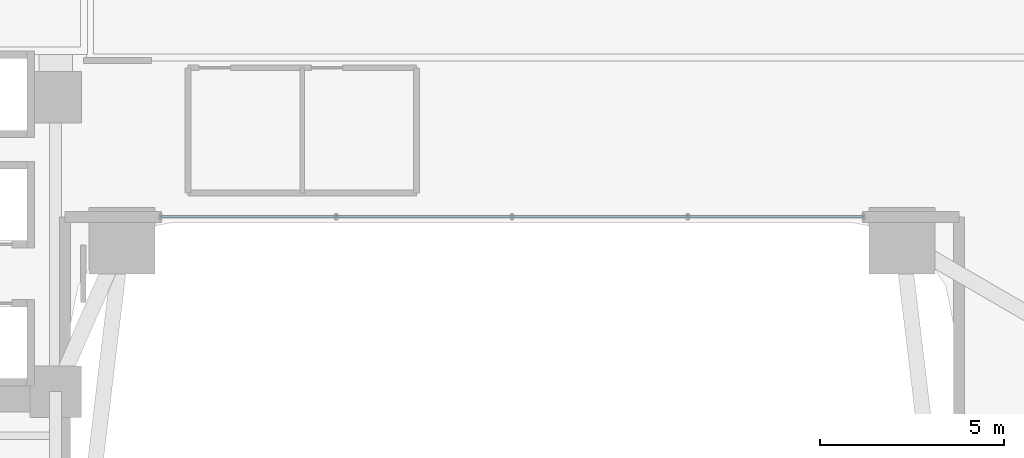
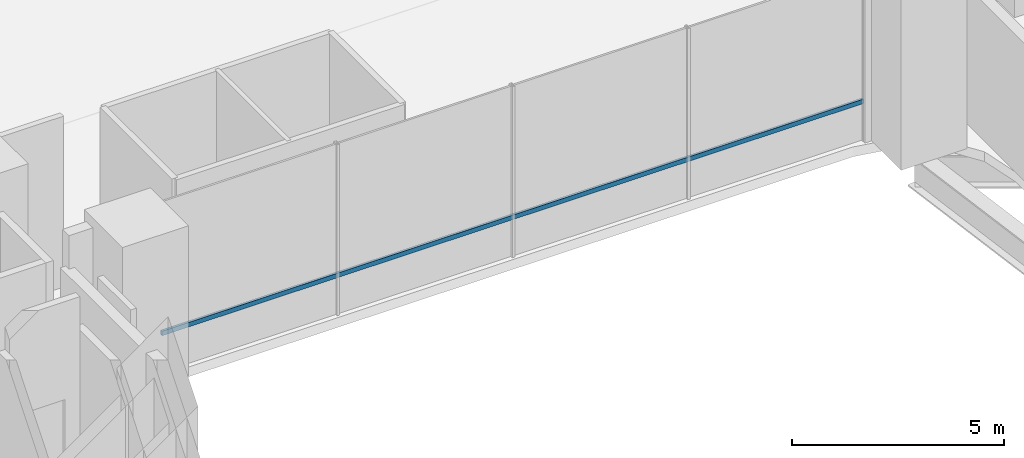
# One storey, part 9 of 39: 1 member, 1 element without a shape of its own.
"""IFC4 building model written with IfcOpenShell, lengths in metres."""

import ifcopenshell
import ifcopenshell.guid

model = None  # the IFC model being written
_history = None  # IfcOwnerHistory: only IFC2X3 demands one
_inside = {}  # id of a spatial element -> (the spatial element, [elements in it])
_under = {}  # id of a project, library or spatial element -> (it, [spatial elements below it])
_declared = {}  # id of a project -> (the project, [libraries it declares])
_typed = {}  # id of a type object -> (the type object, [elements of that type])
_made_of = {}  # id of a material, layer set ... -> (it, [elements and type objects made of it])


def new_model(schema):
    """Start an empty IFC model of exactly this schema.

    Asked for "IFC4X3", IfcOpenShell would pick the latest addendum, in which some entities
    have other attributes; the version numbers below select the first issue.
    IFC2X3 requires an IfcOwnerHistory on every rooted entity: one is made here for all.
    """
    global model, _history
    if schema == "IFC4X3":
        model = ifcopenshell.file(schema_version=(4, 3, 0, 0))
    else:
        model = ifcopenshell.file(schema=schema)
    _inside.clear()
    _under.clear()
    _declared.clear()
    _typed.clear()
    _made_of.clear()
    _history = None
    if model.schema == "IFC2X3":
        org = make("IfcOrganization", Name="unknown")
        user = make(
            "IfcPersonAndOrganization",
            ThePerson=make("IfcPerson", FamilyName="unknown"),
            TheOrganization=org,
        )
        app = make(
            "IfcApplication",
            ApplicationDeveloper=org,
            Version="unknown",
            ApplicationFullName="unknown",
            ApplicationIdentifier="unknown",
        )
        _history = make(
            "IfcOwnerHistory",
            OwningUser=user,
            OwningApplication=app,
            ChangeAction="ADDED",
            CreationDate=0,
        )
    return model


def make(cls, **values):
    """One entity of the class cls with the attributes given. An attribute that is None is left unset."""
    return model.create_entity(
        cls, **{name: value for name, value in values.items() if value is not None}
    )


def rooted(cls, **values):
    """An entity with a GlobalId (a new one), such as an element, a storey or a relation."""
    return make(cls, GlobalId=ifcopenshell.guid.new(), OwnerHistory=_history, **values)


def si_unit(unit_type, name, prefix=None):
    """IfcSIUnit, for example si_unit("LENGTHUNIT", "METRE", prefix="MILLI")."""
    return make("IfcSIUnit", UnitType=unit_type, Prefix=prefix, Name=name)


def assignment(units):
    """IfcUnitAssignment: the units of a project."""
    return None if units is None else make("IfcUnitAssignment", Units=units)


def point(xyz):
    """IfcCartesianPoint."""
    return None if xyz is None else make("IfcCartesianPoint", Coordinates=xyz)


def direction(xyz):
    """IfcDirection."""
    return None if xyz is None else make("IfcDirection", DirectionRatios=xyz)


def frame(location, z_axis=None, x_axis=None):
    """IfcAxis2Placement3D, a coordinate frame: its origin and axes. An axis left out is left unset."""
    return make(
        "IfcAxis2Placement3D",
        Location=point(location),
        Axis=direction(z_axis),
        RefDirection=direction(x_axis),
    )


def frame_2d(location, x_axis=None):
    """IfcAxis2Placement2D, a coordinate frame in the plane: its origin and x axis."""
    return make(
        "IfcAxis2Placement2D", Location=point(location), RefDirection=direction(x_axis)
    )


def origin():
    """The frame at (0, 0, 0) with its axes left unset."""
    return frame((0.0, 0.0, 0.0))


def origin_2d():
    """The frame at (0, 0) in the plane with its x axis left unset."""
    return frame_2d((0.0, 0.0))


def place(relative_to, where):
    """IfcLocalPlacement: puts the frame where relative to a parent placement (None: the world)."""
    return make(
        "IfcLocalPlacement", PlacementRelTo=relative_to, RelativePlacement=where
    )


def context(
    kind, dimensions, precision=None, world=None, true_north=None, identifier=None
):
    """IfcGeometricRepresentationContext, for example the 3D "Model" context."""
    return make(
        "IfcGeometricRepresentationContext",
        ContextIdentifier=identifier,
        ContextType=kind,
        CoordinateSpaceDimension=dimensions,
        Precision=precision,
        WorldCoordinateSystem=world,
        TrueNorth=true_north,
    )


def subcontext(parent, identifier, kind, view, scale=None):
    """IfcGeometricRepresentationSubContext, for example "Body" below "Model"."""
    return make(
        "IfcGeometricRepresentationSubContext",
        ContextIdentifier=identifier,
        ContextType=kind,
        ParentContext=parent,
        TargetScale=scale,
        TargetView=view,
    )


def project(units=None, contexts=None):
    """IfcProject with its units and contexts."""
    return rooted(
        "IfcProject",
        Name="project",
        RepresentationContexts=contexts,
        UnitsInContext=assignment(units),
    )


def spatial(cls, under=None, at=None, **own):
    """A site, building, storey or space (cls), placed at a placement, below another one or the project."""
    s = rooted(cls, ObjectPlacement=at, **own)
    if under is not None:
        _under.setdefault(under.id(), (under, []))[1].append(s)
    return s


def profile(cls, at=None, kind="AREA", **sizes):
    """A parametric profile (cls). Its sizes go by their IFC names, for example OverallWidth=200.0."""
    return make(cls, ProfileType=kind, Position=at, **sizes)


def hollow_rectangle(**sizes):
    """IfcRectangleHollowProfileDef."""
    return profile("IfcRectangleHollowProfileDef", **sizes)


def extrude(swept, where, along, depth):
    """IfcExtrudedAreaSolid: the profile swept, set in the frame where, extruded along a direction by depth."""
    return make(
        "IfcExtrudedAreaSolid",
        SweptArea=swept,
        Position=where,
        ExtrudedDirection=direction(along),
        Depth=depth,
    )


def shape(context_of_items, identifier, shape_type, items):
    """IfcShapeRepresentation: the items that make up one representation, for example the "Body"."""
    return make(
        "IfcShapeRepresentation",
        ContextOfItems=context_of_items,
        RepresentationIdentifier=identifier,
        RepresentationType=shape_type,
        Items=items,
    )


def source(mapping_origin, context_of_items, identifier, shape_type, items):
    """IfcRepresentationMap: a shape defined once, which mapped items show again and again."""
    return make(
        "IfcRepresentationMap",
        MappingOrigin=mapping_origin,
        MappedRepresentation=shape(context_of_items, identifier, shape_type, items),
    )


def transform(
    local_origin,
    x_axis=None,
    y_axis=None,
    z_axis=None,
    scale=None,
    scale2=None,
    scale3=None,
    uniform=True,
):
    """IfcCartesianTransformationOperator3D, or its non-uniform kind. x_axis, y_axis, z_axis: its Axis1, 2, 3."""
    if uniform:
        return make(
            "IfcCartesianTransformationOperator3D",
            Axis1=direction(x_axis),
            Axis2=direction(y_axis),
            LocalOrigin=point(local_origin),
            Scale=scale,
            Axis3=direction(z_axis),
        )
    return make(
        "IfcCartesianTransformationOperator3DnonUniform",
        Axis1=direction(x_axis),
        Axis2=direction(y_axis),
        LocalOrigin=point(local_origin),
        Scale=scale,
        Axis3=direction(z_axis),
        Scale2=scale2,
        Scale3=scale3,
    )


def mapped(mapping_source, mapping_target):
    """IfcMappedItem: shows the shape of a source again, moved by a transform."""
    return make(
        "IfcMappedItem", MappingSource=mapping_source, MappingTarget=mapping_target
    )


def material(Name=None, Category=None):
    """IfcMaterial."""
    return make("IfcMaterial", Name=Name, Category=Category)


def material_profile(
    of_material, cross_section, Name=None, Category=None, Priority=None
):
    """IfcMaterialProfile: a cross section and its material."""
    return make(
        "IfcMaterialProfile",
        Name=Name,
        Material=of_material,
        Profile=cross_section,
        Priority=Priority,
        Category=Category,
    )


def profile_set(profiles, Name=None, composite=None):
    """IfcMaterialProfileSet."""
    return make(
        "IfcMaterialProfileSet",
        Name=Name,
        MaterialProfiles=profiles,
        CompositeProfile=composite,
    )


def made_of(thing, what):
    """Note that an element or type object is made of a material, layer set ...; save() writes the relation."""
    if what is not None:
        _made_of.setdefault(what.id(), (what, []))[1].append(thing)
    return thing


def type_object(cls, material=None, **own):
    """A type object (cls), such as IfcWallType, which elements share."""
    return made_of(rooted(cls, **own), material)


def element(
    cls,
    number,
    at=None,
    inside=None,
    cuts=None,
    type_object=None,
    material=None,
    context=None,
    identifier="Body",
    shape_type=None,
    held_by="IfcProductDefinitionShape",
    body=None,
    shapes=None,
    **own,
):
    """One element of the class cls, such as IfcWall. Its Tag is "e" and its number.

    at: its placement. inside: the storey or other place that contains it. cuts: it is an
    opening in that element (IfcRelVoidsElement). A single representation is given by context,
    identifier, shape_type and body (its items); several are given by shapes. held_by: the class
    of the entity that holds the representations. save() writes the other relations.
    """
    e = rooted(cls, Tag="e%d" % number, ObjectPlacement=at, **own)
    if body is not None:
        shapes = [shape(context, identifier, shape_type, body)]
    if shapes is not None:
        e.Representation = make(held_by, Representations=shapes)
    if inside is not None:
        _inside.setdefault(inside.id(), (inside, []))[1].append(e)
    if cuts is not None:
        rooted(
            "IfcRelVoidsElement", RelatingBuildingElement=cuts, RelatedOpeningElement=e
        )
    if type_object is not None:
        _typed.setdefault(type_object.id(), (type_object, []))[1].append(e)
    return made_of(e, material)


def aggregate(whole, parts):
    """IfcRelAggregates: a whole, such as a stair, and the parts it consists of."""
    return rooted("IfcRelAggregates", RelatingObject=whole, RelatedObjects=parts)


def save(model, path):
    """Write the relations noted so far, then the file.

    IfcRelAggregates (storeys below a building ...), IfcRelContainedInSpatialStructure (elements
    in a storey), IfcRelDefinesByType, IfcRelAssociatesMaterial and IfcRelDeclares: one each for
    every whole, place, type object, material and project.
    """
    for whole, parts in _under.values():
        aggregate(whole, parts)
    for where, things in _inside.values():
        rooted(
            "IfcRelContainedInSpatialStructure",
            RelatedElements=things,
            RelatingStructure=where,
        )
    for kind, things in _typed.values():
        rooted("IfcRelDefinesByType", RelatedObjects=things, RelatingType=kind)
    for what, things in _made_of.values():
        rooted("IfcRelAssociatesMaterial", RelatedObjects=things, RelatingMaterial=what)
    for by, libraries in _declared.values():
        rooted("IfcRelDeclares", RelatingContext=by, RelatedDefinitions=libraries)
    model.write(path)


model = new_model("IFC4")

# Units and contexts
model_context = context("Model", 3, precision=1e-05, world=origin(), true_north=direction((0.0, 1.0)))
body_context = subcontext(model_context, "Body", "Model", "MODEL_VIEW")
ifc_project = project(units=[si_unit("LENGTHUNIT", "METRE"), si_unit("AREAUNIT", "SQUARE_METRE"), si_unit("VOLUMEUNIT", "CUBIC_METRE"), si_unit("PLANEANGLEUNIT", "RADIAN"), si_unit("MASSUNIT", "GRAM", prefix="KILO")], contexts=[model_context])

# Site, building, storey
site_placement = place(None, origin())
site = spatial("IfcSite", under=ifc_project, at=site_placement, CompositionType="ELEMENT")
building_placement = place(site_placement, origin())
building = spatial("IfcBuilding", under=site, at=building_placement, Name="Valdorenza Pilgrim Sanctuary Tower", CompositionType="ELEMENT")
storey_placement = place(building_placement, frame((0.0, 0.0, 5.199951171875)))
storey = spatial("IfcBuildingStorey", under=building, at=storey_placement, Name="L01", CompositionType="ELEMENT", Elevation=5.199951171875)

# Curtain wall, member
ifc_material_1 = material(Name="Curtain-wall IGU glazing", Category="glass")
curtain_wall_type = type_object("IfcCurtainWallType", Name="CW-SYS-01", PredefinedType="NOTDEFINED", material=ifc_material_1)
curtain_wall_placement = place(storey_placement, origin())
curtain_wall = element("IfcCurtainWall", 1, at=curtain_wall_placement, inside=storey, type_object=curtain_wall_type, Name="L01 Curtain Wall CW-POD-L01-ARCH-BACK", PredefinedType="NOTDEFINED")
ifc_material_2 = material(Name="Anodised aluminium AW-6060", Category="aluminium")
ifc_material_profile = material_profile(ifc_material_2, hollow_rectangle(XDim=0.06494140625, YDim=0.1298828125, WallThickness=0.00341796875, at=origin_2d()), Name="ALU-T 130x65x3.5")
ifc_profile_set = profile_set([ifc_material_profile], Name="Anodised aluminium AW-6060")
member_type = type_object("IfcMemberType", Name="CW-TRN-01", PredefinedType="USERDEFINED", material=ifc_profile_set)
shared_shape = source(origin(), body_context, "Body", "SweptSolid", [
    extrude(hollow_rectangle(XDim=0.06494140625, YDim=0.1298828125, WallThickness=0.00341796875, at=origin_2d()), origin(), (0.0, 0.0, 1.0), 19.10009765625),
])
member_placement = place(storey_placement, frame((-9.550048828125, -5.85009765625, 1.1201171875), z_axis=(1.0, 0.0, 0.0), x_axis=(0.0, 1.0, 0.0)))
member = element("IfcMember", 2, at=member_placement, type_object=member_type, Name="CW-POD-L01-ARCH-BACK Transom 1", ObjectType="TRANSOM", PredefinedType="USERDEFINED", context=body_context, shape_type="MappedRepresentation", body=[
    mapped(shared_shape, transform((0.0, 0.0, 0.0), x_axis=(1.0, 0.0, 0.0), y_axis=(0.0, 1.0, 0.0), z_axis=(0.0, 0.0, 1.0), scale=1.0)),
])
aggregate(curtain_wall, [member])

save(model, "model.ifc")
